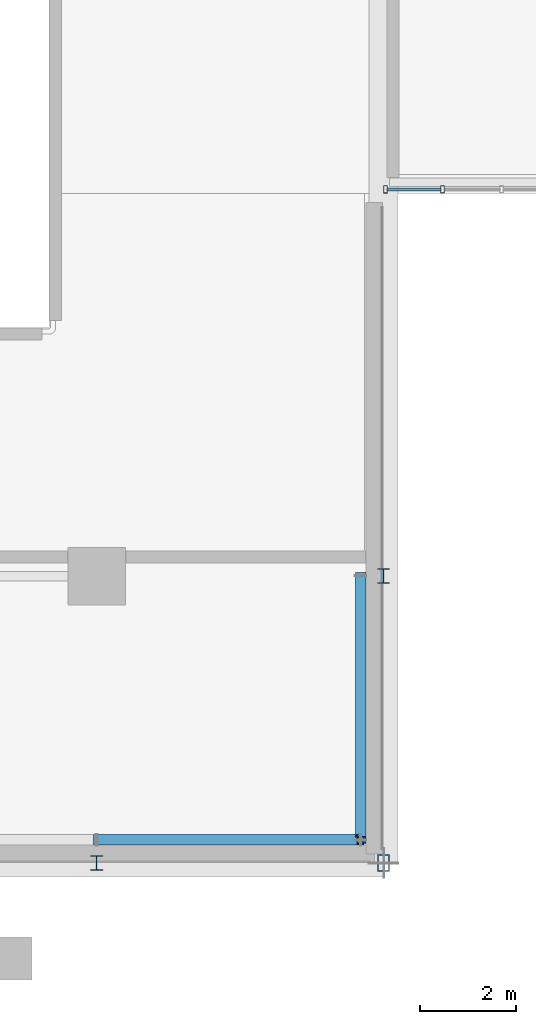
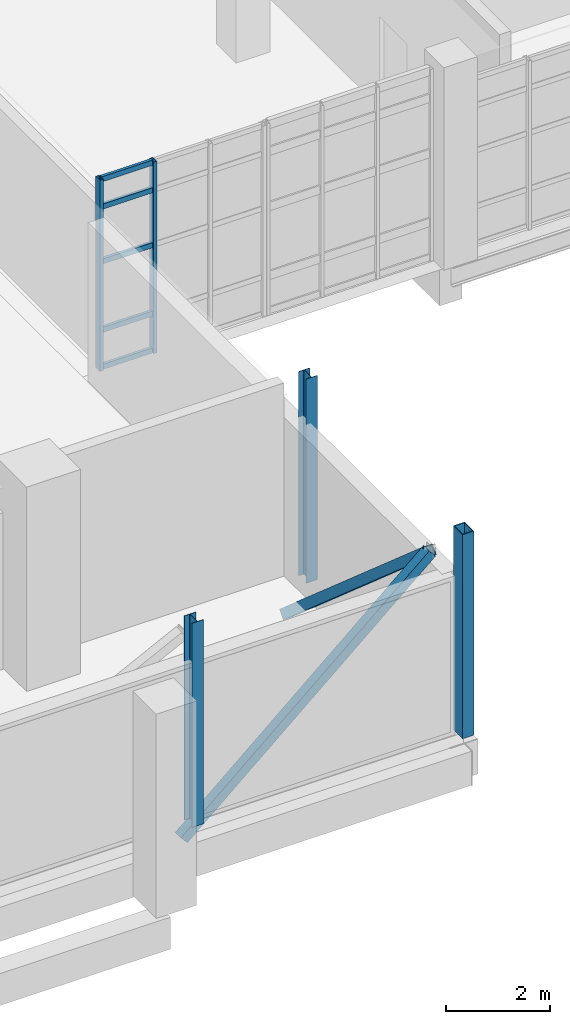
# One storey, part 39 of 102: 12 members, 1 element without a shape of its own.
"""IFC4 building model written with IfcOpenShell, lengths in metres."""

from ifc_helpers import new_model, si_unit, derived_unit, direction, frame, origin, origin_2d, place, context, subcontext, project, spatial, hollow_rectangle, i_section, extrude, material, layer, layer_set, material_profile, profile_set, type_object, element, aggregate, save


model = new_model("IFC4")

# Units and contexts
model_context = context("Model", 3, precision=1e-05, world=origin(), true_north=direction((0.0, 1.0)))
body_context = subcontext(model_context, "Body", "Model", "MODEL_VIEW")
ifc_project = project(units=[si_unit("LENGTHUNIT", "METRE"), si_unit("AREAUNIT", "SQUARE_METRE"), si_unit("VOLUMEUNIT", "CUBIC_METRE"), si_unit("PLANEANGLEUNIT", "RADIAN"), si_unit("MASSUNIT", "GRAM", prefix="KILO"), derived_unit("THERMALTRANSMITTANCEUNIT", [(si_unit("POWERUNIT", "WATT"), 1), (si_unit("LENGTHUNIT", "METRE"), -2), (si_unit("THERMODYNAMICTEMPERATUREUNIT", "KELVIN"), -1)])], contexts=[model_context])

# Site, building, storey
site_placement = place(None, origin())
site = spatial("IfcSite", under=ifc_project, at=site_placement, CompositionType="ELEMENT")
building_placement = place(site_placement, origin())
building = spatial("IfcBuilding", under=site, at=building_placement, Name="Nallur Shell Playhouse", CompositionType="ELEMENT")
storey_placement = place(building_placement, frame((0.0, 0.0, 15.0)))
storey = spatial("IfcBuildingStorey", under=building, at=storey_placement, Name="L04", CompositionType="ELEMENT", Elevation=15.0)

# Curtain wall, members
ifc_material_1 = material(Name="Anodised Aluminium Double-Glazed Facade System", Category="aluminium")
ifc_layer = layer(ifc_material_1, 0.172119140625)
ifc_layer_set = layer_set([ifc_layer], Name="Anodised Aluminium Double-Glazed Facade System")
curtain_wall_type = type_object("IfcCurtainWallType", Name="CW-UNIT-03", PredefinedType="NOTDEFINED", material=ifc_layer_set)
curtain_wall_placement = place(storey_placement, origin())
curtain_wall = element("IfcCurtainWall", 1, at=curtain_wall_placement, inside=storey, type_object=curtain_wall_type, Name="Unitised curtain wall CW-131 (L04)", PredefinedType="NOTDEFINED")
ifc_material_2 = material(Name="Aluminium Alloy 6063-T6 Mullion", Category="aluminium")
ifc_material_profile_1 = material_profile(ifc_material_2, hollow_rectangle(XDim=0.080078125, YDim=0.159912109375, WallThickness=0.006103515625, at=origin_2d()), Name="RHS 160x80x6")
ifc_profile_set_1 = profile_set([ifc_material_profile_1], Name="Aluminium Alloy 6063-T6 Mullion")
member_type_1 = type_object("IfcMemberType", Name="MB-CW-MUL150", PredefinedType="MULLION", material=ifc_profile_set_1)
member_1_placement = place(storey_placement, frame((119.83447265625, 24.090087890625, -0.014892578125), z_axis=(0.0, 0.0, 1.0), x_axis=(-1.0, 0.0, 0.0)))
member_1 = element("IfcMember", 2, at=member_1_placement, type_object=member_type_1, Name="CW-03 mullion 3", PredefinedType="MULLION", context=body_context, shape_type="SweptSolid", body=[
    extrude(hollow_rectangle(XDim=0.080078125, YDim=0.159912109375, WallThickness=0.006103515625, at=origin_2d()), origin(), (0.0, 0.0, 1.0), 4.498779296875),
])
member_2_placement = place(storey_placement, frame((118.639892578125, 24.090087890625, -0.014892578125), z_axis=(0.0, 0.0, 1.0), x_axis=(-1.0, 0.0, 0.0)))
member_2 = element("IfcMember", 3, at=member_2_placement, type_object=member_type_1, Name="CW-03 mullion 4", PredefinedType="MULLION", context=body_context, shape_type="SweptSolid", body=[
    extrude(hollow_rectangle(XDim=0.080078125, YDim=0.159912109375, WallThickness=0.006103515625, at=origin_2d()), origin(), (0.0, 0.0, 1.0), 4.498779296875),
])
ifc_material_3 = material(Name="Aluminium Alloy 6063-T6 Transom", Category="aluminium")
ifc_material_profile_2 = material_profile(ifc_material_3, hollow_rectangle(XDim=0.06494140625, YDim=0.1201171875, WallThickness=0.00390625, at=origin_2d()), Name="ALU 65x120x4")
ifc_profile_set_2 = profile_set([ifc_material_profile_2], Name="Aluminium Alloy 6063-T6 Transom")
member_type_2 = type_object("IfcMemberType", Name="MB-CW-TRN120", PredefinedType="USERDEFINED", material=ifc_profile_set_2)
member_3_placement = place(storey_placement, frame((119.802490234375, 24.090087890625, 0.032470703125), z_axis=(-1.0, 0.0, 0.0), x_axis=(0.0, -1.0, 0.0)))
member_3 = element("IfcMember", 4, at=member_3_placement, type_object=member_type_2, Name="CW-03 transom 3.1", ObjectType="TRANSOM", PredefinedType="USERDEFINED", context=body_context, shape_type="SweptSolid", body=[
    extrude(hollow_rectangle(XDim=0.06494140625, YDim=0.1201171875, WallThickness=0.00390625, at=origin_2d()), origin(), (0.0, 0.0, 1.0), 1.13037109375),
])
member_4_placement = place(storey_placement, frame((119.802490234375, 24.090087890625, 0.89990234375), z_axis=(-1.0, 0.0, 0.0), x_axis=(0.0, -1.0, 0.0)))
member_4 = element("IfcMember", 5, at=member_4_placement, type_object=member_type_2, Name="CW-03 transom 3.2", ObjectType="TRANSOM", PredefinedType="USERDEFINED", context=body_context, shape_type="SweptSolid", body=[
    extrude(hollow_rectangle(XDim=0.06494140625, YDim=0.1201171875, WallThickness=0.00390625, at=origin_2d()), origin(), (0.0, 0.0, 1.0), 1.13037109375),
])
member_5_placement = place(storey_placement, frame((119.802490234375, 24.090087890625, 2.509033203125), z_axis=(-1.0, 0.0, 0.0), x_axis=(0.0, -1.0, 0.0)))
member_5 = element("IfcMember", 6, at=member_5_placement, type_object=member_type_2, Name="CW-03 transom 3.3", ObjectType="TRANSOM", PredefinedType="USERDEFINED", context=body_context, shape_type="SweptSolid", body=[
    extrude(hollow_rectangle(XDim=0.06494140625, YDim=0.1201171875, WallThickness=0.00390625, at=origin_2d()), origin(), (0.0, 0.0, 1.0), 1.13037109375),
])
member_6_placement = place(storey_placement, frame((119.802490234375, 24.090087890625, 3.800048828125), z_axis=(-1.0, 0.0, 0.0), x_axis=(0.0, -1.0, 0.0)))
member_6 = element("IfcMember", 7, at=member_6_placement, type_object=member_type_2, Name="CW-03 transom 3.4", ObjectType="TRANSOM", PredefinedType="USERDEFINED", context=body_context, shape_type="SweptSolid", body=[
    extrude(hollow_rectangle(XDim=0.06494140625, YDim=0.1201171875, WallThickness=0.00390625, at=origin_2d()), origin(), (0.0, 0.0, 1.0), 1.13037109375),
])
member_7_placement = place(storey_placement, frame((119.802490234375, 24.090087890625, 4.447509765625), z_axis=(-1.0, 0.0, 0.0), x_axis=(0.0, -1.0, 0.0)))
member_7 = element("IfcMember", 8, at=member_7_placement, type_object=member_type_2, Name="CW-03 transom 3.5", ObjectType="TRANSOM", PredefinedType="USERDEFINED", context=body_context, shape_type="SweptSolid", body=[
    extrude(hollow_rectangle(XDim=0.06494140625, YDim=0.1201171875, WallThickness=0.00390625, at=origin_2d()), origin(), (0.0, 0.0, 1.0), 1.13037109375),
])
aggregate(curtain_wall, [member_1, member_2, member_3, member_4, member_5, member_6, member_7])

# Members
ifc_material_4 = material(Name="Steel E350", Category="steel")
ifc_material_profile_3 = material_profile(ifc_material_4, i_section(OverallWidth=0.25, OverallDepth=0.300048828125, WebThickness=0.009521484375, FlangeThickness=0.010498046875, FilletRadius=0.010986328125, at=origin_2d()), Name="ISHB 300")
ifc_profile_set_3 = profile_set([ifc_material_profile_3], Name="Steel E350")
member_type_3 = type_object("IfcMemberType", Name="MB-FASCIA-POST", PredefinedType="POST", material=ifc_profile_set_3)
for number, where, z_axis, x_axis, name in (
    (9, (112.60009765625, 10.0, 0.0), (0.0, 0.0, 1.0), (1.0, 0.0, 0.0), "Cantilever truss fascia post POST-GB-L04-07"),
    (10, (118.60009765625, 16.0, 0.0), (0.0, 0.0, 1.0), (1.0, 0.0, 0.0), "Cantilever truss fascia post POST-GB-L04-14"),
):
    element("IfcMember", number, at=place(storey_placement, frame(where, z_axis=z_axis, x_axis=x_axis)), inside=storey, type_object=member_type_3, Name=name, PredefinedType="POST", context=body_context, shape_type="SweptSolid", body=[
        extrude(i_section(OverallWidth=0.25, OverallDepth=0.300048828125, WebThickness=0.009521484375, FlangeThickness=0.010498046875, FilletRadius=0.010986328125, at=origin_2d()), origin(), (0.0, 0.0, 1.0), 4.800048828125),
    ])
ifc_material_profile_4 = material_profile(ifc_material_4, hollow_rectangle(XDim=0.25, YDim=0.35009765625, WallThickness=0.01611328125, at=origin_2d()), Name="RHS 350x250x16")
ifc_profile_set_4 = profile_set([ifc_material_profile_4], Name="Steel E350")
member_type_4 = type_object("IfcMemberType", Name="MB-FASCIA-RHS", PredefinedType="POST", material=ifc_profile_set_4)
member_8_placement = place(storey_placement, frame((118.60009765625, 10.0, 0.0), z_axis=(0.0, 0.0, 1.0), x_axis=(1.0, 0.0, 0.0)))
element("IfcMember", 11, at=member_8_placement, inside=storey, type_object=member_type_4, Name="Cantilever truss fascia post POST-GB-L04-08", PredefinedType="POST", context=body_context, shape_type="SweptSolid", body=[
    extrude(hollow_rectangle(XDim=0.25, YDim=0.35009765625, WallThickness=0.01611328125, at=origin_2d()), origin(), (0.0, 0.0, 1.0), 4.800048828125),
])
ifc_material_profile_5 = material_profile(ifc_material_4, hollow_rectangle(XDim=0.219970703125, YDim=0.219970703125, WallThickness=0.011962890625, at=origin_2d()), Name="SHS 220x220x12")
ifc_profile_set_5 = profile_set([ifc_material_profile_5], Name="Steel E350")
member_type_5 = type_object("IfcMemberType", Name="MB-FT-BRACE2", PredefinedType="BRACE", material=ifc_profile_set_5)
for number, where, z_axis, x_axis, name in (
    (12, (118.1201171875, 16.0, -0.659912109375), (0.0, -0.753942534028, 0.656940374298), (1.0, 0.0, 0.0), "Gold box fascia brace L04-3"),
    (13, (112.60009765625, 10.47998046875, -0.659912109375), (0.753942534028, 0.0, 0.656940374298), (0.0, 1.0, 0.0), "Gold box fascia brace L04-7"),
):
    element("IfcMember", number, at=place(storey_placement, frame(where, z_axis=z_axis, x_axis=x_axis)), inside=storey, type_object=member_type_5, Name=name, PredefinedType="BRACE", context=body_context, shape_type="SweptSolid", body=[
        extrude(hollow_rectangle(XDim=0.219970703125, YDim=0.219970703125, WallThickness=0.011962890625, at=origin_2d()), origin(), (0.0, 0.0, 1.0), 7.321533203125),
    ])

save(model, "model.ifc")
